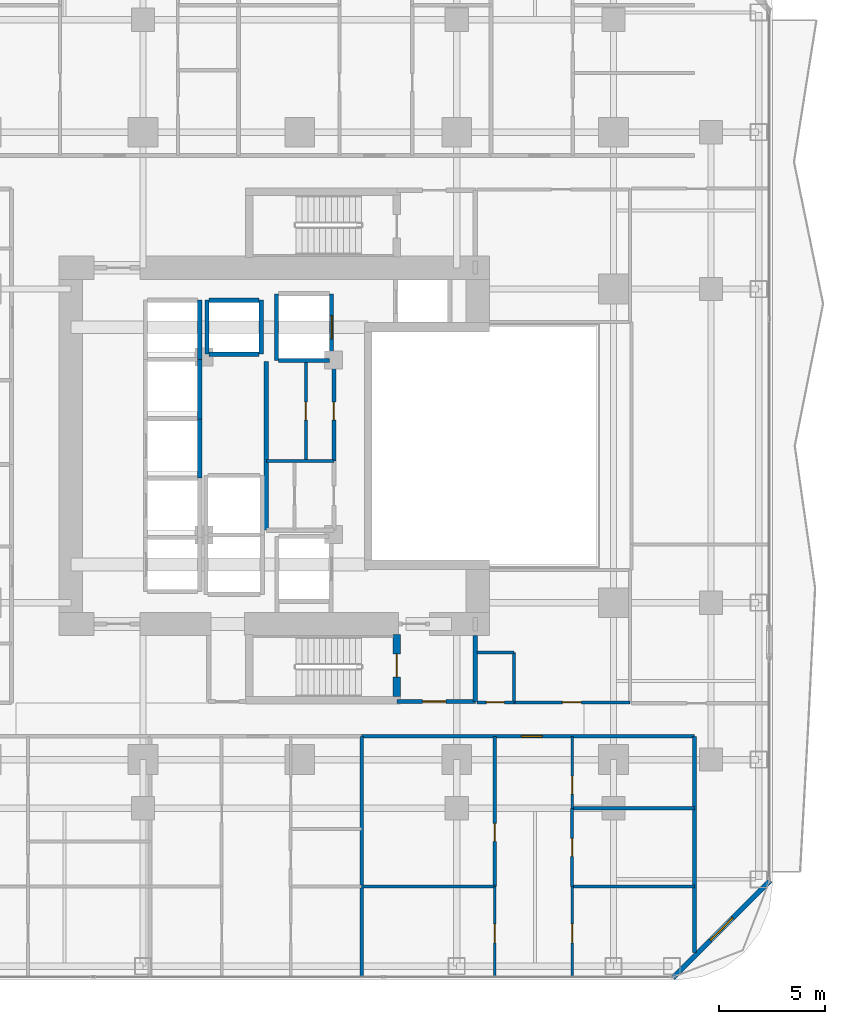
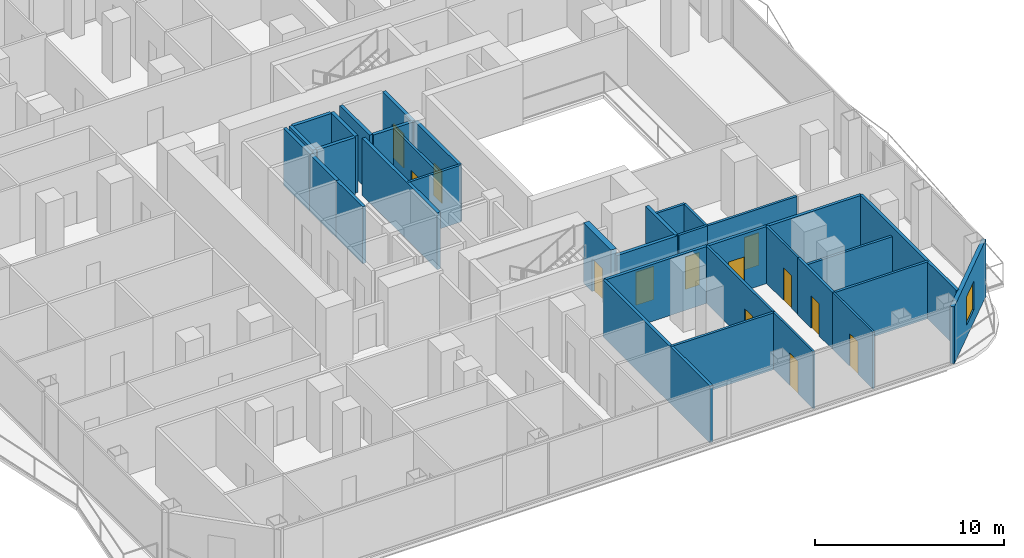
# One storey, part 21 of 29: 33 walls, 13 doors, 1 window, 14 openings.
"""IFC4 building model written with IfcOpenShell, lengths in metres."""

from ifc_helpers import new_model, si_unit, direction, frame, frame_2d, origin, place, context, subcontext, project, spatial, rectangle, extrude, material, layer, layer_set, type_object, element, fill, save


model = new_model("IFC4")

# Units and contexts
model_context = context("Model", 3, precision=1e-05, world=origin(), true_north=direction((0.0, 1.0)))
body_context = subcontext(model_context, "Body", "Model", "MODEL_VIEW")
ifc_project = project(units=[si_unit("LENGTHUNIT", "METRE"), si_unit("AREAUNIT", "SQUARE_METRE"), si_unit("VOLUMEUNIT", "CUBIC_METRE"), si_unit("PLANEANGLEUNIT", "RADIAN"), si_unit("MASSUNIT", "GRAM", prefix="KILO")], contexts=[model_context])

# Site, building, storey
site_placement = place(None, origin())
site = spatial("IfcSite", under=ifc_project, at=site_placement, CompositionType="ELEMENT")
building_placement = place(site_placement, origin())
building = spatial("IfcBuilding", under=site, at=building_placement, Name="Khorvyn Point Tower", CompositionType="ELEMENT")
storey_placement = place(building_placement, frame((0.0, 0.0, 69.60009765625)))
storey = spatial("IfcBuildingStorey", under=building, at=storey_placement, Name="L18", CompositionType="ELEMENT", Elevation=69.60009765625)

# Wall, opening, door
ifc_material_1 = material(Name="Double acoustic gypsum on twin steel stud", Category="steel")
ifc_layer_1 = layer(ifc_material_1, 0.179931640625)
ifc_layer_set_1 = layer_set([ifc_layer_1], Name="Acoustic Double-Stud Apartment Demising Wall 180")
wall_type_1 = type_object("IfcWallType", Name="Acoustic Double-Stud Apartment Demising Wall 180", PredefinedType="PARTITIONING", material=ifc_layer_set_1)
wall_1_placement = place(storey_placement, frame((2.91796875, -13.699951171875, 0.0), z_axis=(0.0, 0.0, 1.0), x_axis=(1.0, 0.0, 0.0)))
wall_1 = element("IfcWall", 1, at=wall_1_placement, inside=storey, type_object=wall_type_1, Name="Wall", PredefinedType="PARTITIONING", context=body_context, shape_type="SweptSolid", body=[
    extrude(rectangle(XDim=15.7021484375, YDim=0.179931640625, at=frame_2d((7.85107421875, 0.0))), origin(), (0.0, 0.0, 1.0), 3.679931640625),
])
opening_1_placement = place(wall_1_placement, frame((7.53076171875, 0.0, 0.0)))
opening_1 = element("IfcOpeningElement", 2, at=opening_1_placement, cuts=wall_1, Name="Opening ID-AP60", PredefinedType="OPENING", context=body_context, shape_type="SweptSolid", body=[
    extrude(rectangle(XDim=1.0, YDim=2.199951171875, at=frame_2d((0.5, 1.10009765625))), frame((0.0, 0.099853515625, 0.0), z_axis=(0.0, -1.0, 0.0), x_axis=(1.0, 0.0, 0.0)), (0.0, 0.0, 1.0), 0.199951171875),
])
ifc_material_2 = material(Name="Engineered hardwood fire-rated leaf", Category="wood")
door_type_1 = type_object("IfcDoorType", Name="Acoustic Solid-Core Timber Apartment Entrance Door 1000x2200", OperationType="NOTDEFINED", PredefinedType="DOOR", material=ifc_material_2)
door_1_placement = place(opening_1_placement, origin())
door_1 = element("IfcDoor", 3, at=door_1_placement, inside=storey, type_object=door_type_1, Name="Door", OperationType="SINGLE_SWING_RIGHT", OverallHeight=2.199951171875, OverallWidth=1.0, PredefinedType="DOOR", context=body_context, shape_type="SweptSolid", body=[
    extrude(rectangle(XDim=1.0, YDim=2.199951171875, at=frame_2d((0.5, 1.10009765625))), frame((0.0, 0.02490234375, 0.0), z_axis=(0.0, -1.0, 0.0), x_axis=(1.0, 0.0, 0.0)), (0.0, 0.0, 1.0), 0.050048828125),
])
fill(opening_1, door_1)

# Walls
wall_2_placement = place(storey_placement, frame((18.6201171875, -23.909912109375, 0.0), z_axis=(0.0, 0.0, 1.0), x_axis=(0.0, 1.0, 0.0)))
element("IfcWall", 4, at=wall_2_placement, inside=storey, type_object=wall_type_1, Name="Wall", PredefinedType="PARTITIONING", context=body_context, shape_type="SweptSolid", body=[
    extrude(rectangle(XDim=10.2099609375, YDim=0.179931640625, at=frame_2d((5.10498046875, 0.0))), origin(), (0.0, 0.0, 1.0), 3.679931640625),
])
wall_3_placement = place(storey_placement, frame((2.91796875, -25.030029296875, 0.0), z_axis=(0.0, 0.0, 1.0), x_axis=(0.0, 1.0, 0.0)))
element("IfcWall", 5, at=wall_3_placement, inside=storey, type_object=wall_type_1, Name="Wall", PredefinedType="PARTITIONING", context=body_context, shape_type="SweptSolid", body=[
    extrude(rectangle(XDim=11.330078125, YDim=0.179931640625, at=frame_2d((5.6650390625, 0.0))), origin(), (0.0, 0.0, 1.0), 3.679931640625),
])

# Wall, opening, window
ifc_material_3 = material(Name="Pale anodised aluminium rainscreen on steel stud", Category="steel")
ifc_layer_2 = layer(ifc_material_3, 0.239990234375)
ifc_layer_set_2 = layer_set([ifc_layer_2], Name="Anodised Aluminium Insulated Corner Spandrel Wall 240")
wall_type_2 = type_object("IfcWallType", Name="Anodised Aluminium Insulated Corner Spandrel Wall 240", PredefinedType="SOLIDWALL", material=ifc_layer_set_2)
wall_4_placement = place(storey_placement, frame((22.1923828125, -20.507568359375, 0.0), z_axis=(0.0, 0.0, 1.0), x_axis=(-0.707106781187, -0.707106781187, 0.0)))
wall_4 = element("IfcWall", 6, at=wall_4_placement, inside=storey, type_object=wall_type_2, Name="L18 Rounded Corner Wall SE", PredefinedType="SOLIDWALL", context=body_context, shape_type="SweptSolid", body=[
    extrude(rectangle(XDim=6.48388671875, YDim=0.239990234375, at=frame_2d((3.241943359375, 0.0))), origin(), (0.0, 0.0, 1.0), 3.679931640625),
])
opening_2_placement = place(wall_4_placement, frame((2.491943359375, 0.0, 0.800048828125)))
opening_2 = element("IfcOpeningElement", 7, at=opening_2_placement, cuts=wall_4, Name="Opening WN-1518", PredefinedType="OPENING", context=body_context, shape_type="SweptSolid", body=[
    extrude(rectangle(XDim=1.5, YDim=1.85009765625, at=frame_2d((0.75, 0.925048828125))), frame((0.0, 0.1298828125, 0.0), z_axis=(0.0, -1.0, 0.0), x_axis=(1.0, 0.0, 0.0)), (0.0, 0.0, 1.0), 0.260009765625),
])
ifc_material_4 = material(Name="Anodised aluminium 6063-T6 and laminated Low-E glass", Category="aluminium")
window_type = type_object("IfcWindowType", Name="Anodised Aluminium Rounded-Corner Panoramic Window 1500x1850", PartitioningType="SINGLE_PANEL", PredefinedType="WINDOW", material=ifc_material_4)
window_placement = place(opening_2_placement, origin())
window = element("IfcWindow", 8, at=window_placement, inside=storey, type_object=window_type, Name="L18 Corner Panoramic Window SE", OverallHeight=1.85009765625, OverallWidth=1.5, PartitioningType="SINGLE_PANEL", PredefinedType="WINDOW", context=body_context, shape_type="SweptSolid", body=[
    extrude(rectangle(XDim=1.5, YDim=1.85009765625, at=frame_2d((0.75, 0.925048828125))), frame((0.0, 0.030029296875, 0.0), z_axis=(0.0, -1.0, 0.0), x_axis=(1.0, 0.0, 0.0)), (0.0, 0.0, 1.0), 0.06005859375),
])
fill(opening_2, window)

# Wall, opening, door
ifc_material_5 = material(Name="Concrete C40/50", Category="concrete")
ifc_layer_3 = layer(ifc_material_5, 0.199951171875)
ifc_layer_set_3 = layer_set([ifc_layer_3], Name="Concrete C40/50 Fire-Lobby Compartment Wall 200")
wall_type_3 = type_object("IfcWallType", Name="Concrete C40/50 Fire-Lobby Compartment Wall 200", PredefinedType="SOLIDWALL", material=ifc_layer_set_3)
wall_5_placement = place(storey_placement, frame((4.580078125, -12.06005859375, 0.0), z_axis=(0.0, 0.0, 1.0), x_axis=(1.0, 0.0, 0.0)))
wall_5 = element("IfcWall", 9, at=wall_5_placement, inside=storey, type_object=wall_type_3, Name="Wall", PredefinedType="SOLIDWALL", context=body_context, shape_type="SweptSolid", body=[
    extrude(rectangle(XDim=3.699951171875, YDim=0.199951171875, at=frame_2d((1.85009765625, 0.0))), origin(), (0.0, 0.0, 1.0), 3.679931640625),
])
opening_3_placement = place(wall_5_placement, frame((1.21240234375, 0.0, 0.0)))
opening_3 = element("IfcOpeningElement", 10, at=opening_3_placement, cuts=wall_5, Name="Opening ID-FL90", PredefinedType="OPENING", context=body_context, shape_type="SweptSolid", body=[
    extrude(rectangle(XDim=1.10009765625, YDim=2.14990234375, at=frame_2d((0.550048828125, 1.074951171875))), frame((0.0, 0.10986328125, 0.0), z_axis=(0.0, -1.0, 0.0), x_axis=(1.0, 0.0, 0.0)), (0.0, 0.0, 1.0), 0.219970703125),
])
ifc_material_6 = material(Name="Galvanised powder-coated steel", Category="steel")
door_type_2 = type_object("IfcDoorType", Name="Fire-Rated Steel Lobby and Stair Door 1100x2150", OperationType="NOTDEFINED", PredefinedType="DOOR", material=ifc_material_6)
door_2_placement = place(opening_3_placement, origin())
door_2 = element("IfcDoor", 11, at=door_2_placement, inside=storey, type_object=door_type_2, Name="Door", OperationType="SINGLE_SWING_LEFT", OverallHeight=2.14990234375, OverallWidth=1.10009765625, PredefinedType="DOOR", context=body_context, shape_type="SweptSolid", body=[
    extrude(rectangle(XDim=1.10009765625, YDim=2.14990234375, at=frame_2d((0.550048828125, 1.074951171875))), frame((0.0, 0.02490234375, 0.0), z_axis=(0.0, -1.0, 0.0), x_axis=(1.0, 0.0, 0.0)), (0.0, 0.0, 1.0), 0.050048828125),
])
fill(opening_3, door_2)

wall_6_placement = place(storey_placement, frame((1.610107421875, -0.7060546875, 0.0), z_axis=(0.0, 0.0, 1.0), x_axis=(0.0, 1.0, 0.0)))
wall_6 = element("IfcWall", 12, at=wall_6_placement, inside=storey, type_object=wall_type_3, Name="Wall", PredefinedType="SOLIDWALL", context=body_context, shape_type="SweptSolid", body=[
    extrude(rectangle(XDim=4.68603515625, YDim=0.199951171875, at=frame_2d((2.343017578125, 0.0))), origin(), (0.0, 0.0, 1.0), 3.679931640625),
])
opening_4_placement = place(wall_6_placement, frame((1.91796875, 0.0, 0.0)))
opening_4 = element("IfcOpeningElement", 13, at=opening_4_placement, cuts=wall_6, Name="Opening ID-WC85", PredefinedType="OPENING", context=body_context, shape_type="SweptSolid", body=[
    extrude(rectangle(XDim=0.85009765625, YDim=2.10009765625, at=frame_2d((0.425048828125, 1.050048828125))), frame((0.0, 0.10986328125, 0.0), z_axis=(0.0, -1.0, 0.0), x_axis=(1.0, 0.0, 0.0)), (0.0, 0.0, 1.0), 0.219970703125),
])
ifc_material_7 = material(Name="High-pressure laminate on moisture-resistant core", Category="wood")
door_type_3 = type_object("IfcDoorType", Name="Moisture-Resistant Accessible Washroom Door 850x2100", OperationType="NOTDEFINED", PredefinedType="DOOR", material=ifc_material_7)
door_3_placement = place(opening_4_placement, origin())
door_3 = element("IfcDoor", 14, at=door_3_placement, inside=storey, type_object=door_type_3, Name="Door", OperationType="SINGLE_SWING_RIGHT", OverallHeight=2.10009765625, OverallWidth=0.85009765625, PredefinedType="DOOR", context=body_context, shape_type="SweptSolid", body=[
    extrude(rectangle(XDim=0.85009765625, YDim=2.10009765625, at=frame_2d((0.425048828125, 1.050048828125))), frame((0.0, 0.02490234375, 0.0), z_axis=(0.0, -1.0, 0.0), x_axis=(1.0, 0.0, 0.0)), (0.0, 0.0, 1.0), 0.050048828125),
])
fill(opening_4, door_3)

# Walls
wall_7_placement = place(storey_placement, frame((8.280029296875, -12.06005859375, 0.0), z_axis=(0.0, 0.0, 1.0), x_axis=(0.0, 1.0, 0.0)))
element("IfcWall", 15, at=wall_7_placement, inside=storey, type_object=wall_type_3, Name="Wall", PredefinedType="SOLIDWALL", context=body_context, shape_type="SweptSolid", body=[
    extrude(rectangle(XDim=3.110107421875, YDim=0.199951171875, at=frame_2d((1.55517578125, 0.0))), origin(), (0.0, 0.0, 1.0), 3.679931640625),
])
wall_8_placement = place(storey_placement, frame((-1.580078125, -3.97998046875, 0.0), z_axis=(0.0, 0.0, 1.0), x_axis=(0.0, 1.0, 0.0)))
element("IfcWall", 16, at=wall_8_placement, inside=storey, type_object=wall_type_3, Name="Wall", PredefinedType="SOLIDWALL", context=body_context, shape_type="SweptSolid", body=[
    extrude(rectangle(XDim=7.9599609375, YDim=0.199951171875, at=frame_2d((3.97998046875, 0.0))), origin(), (0.0, 0.0, 1.0), 3.679931640625),
])

# Wall, opening, door
ifc_layer_4 = layer(ifc_material_5, 0.35009765625)
ifc_layer_set_4 = layer_set([ifc_layer_4], Name="Concrete C40/50 Stair Shaft Structural Wall 350")
wall_type_4 = type_object("IfcWallType", Name="Concrete C40/50 Stair Shaft Structural Wall 350", PredefinedType="SHEAR", material=ifc_layer_set_4)
wall_9_placement = place(storey_placement, frame((4.580078125, -8.89990234375, 0.0), z_axis=(0.0, 0.0, 1.0), x_axis=(0.0, -1.0, 0.0)))
wall_9 = element("IfcWall", 17, at=wall_9_placement, inside=storey, type_object=wall_type_4, Name="L18 ST-01 East Landing Door Wall", PredefinedType="SHEAR", context=body_context, shape_type="SweptSolid", body=[
    extrude(rectangle(XDim=2.925048828125, YDim=0.35009765625, at=frame_2d((1.46240234375, 0.0))), origin(), (0.0, 0.0, 1.0), 3.89990234375),
])
opening_5_placement = place(wall_9_placement, frame((0.91259765625, 0.0, 0.0)))
opening_5 = element("IfcOpeningElement", 18, at=opening_5_placement, cuts=wall_9, Name="Opening ID-FL90", PredefinedType="OPENING", context=body_context, shape_type="SweptSolid", body=[
    extrude(rectangle(XDim=1.10009765625, YDim=2.14990234375, at=frame_2d((0.550048828125, 1.074951171875))), frame((0.0, 0.18505859375, 0.0), z_axis=(0.0, -1.0, 0.0), x_axis=(1.0, 0.0, 0.0)), (0.0, 0.0, 1.0), 0.3701171875),
])
door_4_placement = place(opening_5_placement, origin())
door_4 = element("IfcDoor", 19, at=door_4_placement, inside=storey, type_object=door_type_2, Name="L18 ST-01 Smokeproof Landing Door", OperationType="SINGLE_SWING_RIGHT", OverallHeight=2.14990234375, OverallWidth=1.10009765625, PredefinedType="DOOR", context=body_context, shape_type="SweptSolid", body=[
    extrude(rectangle(XDim=1.10009765625, YDim=2.14990234375, at=frame_2d((0.550048828125, 1.074951171875))), frame((0.0, 0.02490234375, 0.0), z_axis=(0.0, -1.0, 0.0), x_axis=(1.0, 0.0, 0.0)), (0.0, 0.0, 1.0), 0.050048828125),
])
fill(opening_5, door_4)

# Walls
ifc_layer_5 = layer(ifc_material_5, 0.199951171875)
ifc_layer_set_5 = layer_set([ifc_layer_5], Name="Concrete C40/50 Structural Hoistway and Stair Shaft Wall 200")
wall_type_5 = type_object("IfcWallType", Name="Concrete C40/50 Structural Hoistway and Stair Shaft Wall 200", PredefinedType="SHEAR", material=ifc_layer_set_5)
wall_10_placement = place(storey_placement, frame((-4.72509765625, -1.52490234375, 0.0), z_axis=(0.0, 0.0, 1.0), x_axis=(0.0, 1.0, 0.0)))
element("IfcWall", 20, at=wall_10_placement, inside=storey, type_object=wall_type_5, Name="Wall", PredefinedType="SHEAR", context=body_context, shape_type="SweptSolid", body=[
    extrude(rectangle(XDim=2.7998046875, YDim=0.199951171875, at=frame_2d((1.39990234375, 0.0))), origin(), (0.0, 0.0, 1.0), 3.679931640625),
])
for number, where, z_axis, x_axis, name in (
    (21, (-4.72509765625, 1.27490234375, 0.0), (0.0, 0.0, 1.0), (0.0, 1.0, 0.0), "Wall"),
    (22, (-4.72509765625, 4.074951171875, 0.0), (0.0, 0.0, 1.0), (0.0, 1.0, 0.0), "Wall"),
):
    element("IfcWall", number, at=place(storey_placement, frame(where, z_axis=z_axis, x_axis=x_axis)), inside=storey, type_object=wall_type_5, Name=name, PredefinedType="SHEAR", context=body_context, shape_type="SweptSolid", body=[
        extrude(rectangle(XDim=2.800048828125, YDim=0.199951171875, at=frame_2d((1.39990234375, 0.0))), origin(), (0.0, 0.0, 1.0), 3.679931640625),
    ])
for number, where, z_axis, x_axis, name in (
    (23, (-4.375, 4.324951171875, 0.0), (0.0, 0.0, 1.0), (0.0, 1.0, 0.0), "Wall"),
    (24, (-1.824951171875, 4.324951171875, 0.0), (0.0, 0.0, 1.0), (0.0, 1.0, 0.0), "Wall"),
):
    element("IfcWall", number, at=place(storey_placement, frame(where, z_axis=z_axis, x_axis=x_axis)), inside=storey, type_object=wall_type_5, Name=name, PredefinedType="SHEAR", context=body_context, shape_type="SweptSolid", body=[
        extrude(rectangle(XDim=2.550048828125, YDim=0.199951171875, at=frame_2d((1.27490234375, 0.0))), origin(), (0.0, 0.0, 1.0), 3.679931640625),
    ])
for number, where, z_axis, x_axis, name in (
    (25, (-4.27490234375, 4.324951171875, 0.0), (0.0, 0.0, 1.0), (1.0, 0.0, 0.0), "Wall"),
    (26, (-4.27490234375, 6.875, 0.0), (0.0, 0.0, 1.0), (1.0, 0.0, 0.0), "Wall"),
):
    element("IfcWall", number, at=place(storey_placement, frame(where, z_axis=z_axis, x_axis=x_axis)), inside=storey, type_object=wall_type_5, Name=name, PredefinedType="SHEAR", context=body_context, shape_type="SweptSolid", body=[
        extrude(rectangle(XDim=2.349853515625, YDim=0.199951171875, at=frame_2d((1.1748046875, 0.0))), origin(), (0.0, 0.0, 1.0), 3.679931640625),
    ])
wall_11_placement = place(storey_placement, frame((-1.10009765625, 4.02490234375, 0.0), z_axis=(0.0, 0.0, 1.0), x_axis=(0.0, 1.0, 0.0)))
element("IfcWall", 27, at=wall_11_placement, inside=storey, type_object=wall_type_5, Name="Wall", PredefinedType="SHEAR", context=body_context, shape_type="SweptSolid", body=[
    extrude(rectangle(XDim=3.150146484375, YDim=0.199951171875, at=frame_2d((1.5751953125, 0.0))), origin(), (0.0, 0.0, 1.0), 3.679931640625),
])

# Wall, opening, door
wall_12_placement = place(storey_placement, frame((1.5, 4.02490234375, 0.0), z_axis=(0.0, 0.0, 1.0), x_axis=(0.0, 1.0, 0.0)))
wall_12 = element("IfcWall", 28, at=wall_12_placement, inside=storey, type_object=wall_type_5, Name="Wall", PredefinedType="SHEAR", context=body_context, shape_type="SweptSolid", body=[
    extrude(rectangle(XDim=3.150146484375, YDim=0.199951171875, at=frame_2d((1.5751953125, 0.0))), origin(), (0.0, 0.0, 1.0), 3.679931640625),
])
opening_6_placement = place(wall_12_placement, frame((1.02490234375, 0.0, 0.0)))
opening_6 = element("IfcOpeningElement", 29, at=opening_6_placement, cuts=wall_12, Name="Opening LD-1122", PredefinedType="OPENING", context=body_context, shape_type="SweptSolid", body=[
    extrude(rectangle(XDim=1.10009765625, YDim=2.199951171875, at=frame_2d((0.550048828125, 1.10009765625))), frame((0.0, 0.10986328125, 0.0), z_axis=(0.0, -1.0, 0.0), x_axis=(1.0, 0.0, 0.0)), (0.0, 0.0, 1.0), 0.219970703125),
])
ifc_material_8 = material(Name="Stainless steel 1.4301", Category="steel")
door_type_4 = type_object("IfcDoorType", Name="Stainless Steel Automatic Sliding Lift Landing Door 1100x2200", OperationType="SLIDING_TO_LEFT", PredefinedType="DOOR", material=ifc_material_8)
door_5_placement = place(opening_6_placement, origin())
door_5 = element("IfcDoor", 30, at=door_5_placement, inside=storey, type_object=door_type_4, Name="L18 SV-01 Sliding Lift Landing Door", OperationType="SLIDING_TO_LEFT", OverallHeight=2.199951171875, OverallWidth=1.10009765625, PredefinedType="DOOR", context=body_context, shape_type="SweptSolid", body=[
    extrude(rectangle(XDim=1.10009765625, YDim=2.199951171875, at=frame_2d((0.550048828125, 1.10009765625))), frame((0.0, 0.02490234375, 0.0), z_axis=(0.0, -1.0, 0.0), x_axis=(1.0, 0.0, 0.0)), (0.0, 0.0, 1.0), 0.050048828125),
])
fill(opening_6, door_5)

# Wall
wall_13_placement = place(storey_placement, frame((-1.0, 4.02490234375, 0.0), z_axis=(0.0, 0.0, 1.0), x_axis=(1.0, 0.0, 0.0)))
element("IfcWall", 31, at=wall_13_placement, inside=storey, type_object=wall_type_5, Name="Wall", PredefinedType="SHEAR", context=body_context, shape_type="SweptSolid", body=[
    extrude(rectangle(XDim=2.39990234375, YDim=0.199951171875, at=frame_2d((1.199951171875, 0.0))), origin(), (0.0, 0.0, 1.0), 3.679931640625),
])

# Wall, opening, door
ifc_material_9 = material(Name="Gypsum plasterboard on steel stud", Category="steel")
ifc_layer_6 = layer(ifc_material_9, 0.1201171875)
ifc_layer_set_6 = layer_set([ifc_layer_6], Name="Gypsum Acoustic Stud Room Partition Wall 120")
wall_type_6 = type_object("IfcWallType", Name="Gypsum Acoustic Stud Room Partition Wall 120", PredefinedType="PARTITIONING", material=ifc_layer_set_6)
wall_14_placement = place(storey_placement, frame((9.198974609375, -25.030029296875, 0.0), z_axis=(0.0, 0.0, 1.0), x_axis=(0.0, 1.0, 0.0)))
wall_14 = element("IfcWall", 32, at=wall_14_placement, inside=storey, type_object=wall_type_6, Name="Wall", PredefinedType="PARTITIONING", context=body_context, shape_type="SweptSolid", body=[
    extrude(rectangle(XDim=4.239990234375, YDim=0.1201171875, at=frame_2d((2.1201171875, 0.0))), origin(), (0.0, 0.0, 1.0), 3.679931640625),
])
opening_7_placement = place(wall_14_placement, frame((1.581298828125, 0.0, 0.0)))
opening_7 = element("IfcOpeningElement", 33, at=opening_7_placement, cuts=wall_14, Name="Opening ID-RM90", PredefinedType="OPENING", context=body_context, shape_type="SweptSolid", body=[
    extrude(rectangle(XDim=0.89990234375, YDim=2.10009765625, at=frame_2d((0.449951171875, 1.050048828125))), frame((0.0, 0.070068359375, 0.0), z_axis=(0.0, -1.0, 0.0), x_axis=(1.0, 0.0, 0.0)), (0.0, 0.0, 1.0), 0.14013671875),
])
ifc_material_10 = material(Name="Engineered oak veneer timber", Category="wood")
door_type_5 = type_object("IfcDoorType", Name="Flush Engineered Timber Room Door 900x2100", OperationType="NOTDEFINED", PredefinedType="DOOR", material=ifc_material_10)
door_6_placement = place(opening_7_placement, origin())
door_6 = element("IfcDoor", 34, at=door_6_placement, inside=storey, type_object=door_type_5, Name="Door", OperationType="SINGLE_SWING_RIGHT", OverallHeight=2.10009765625, OverallWidth=0.89990234375, PredefinedType="DOOR", context=body_context, shape_type="SweptSolid", body=[
    extrude(rectangle(XDim=0.89990234375, YDim=2.10009765625, at=frame_2d((0.449951171875, 1.050048828125))), frame((0.0, 0.02490234375, 0.0), z_axis=(0.0, -1.0, 0.0), x_axis=(1.0, 0.0, 0.0)), (0.0, 0.0, 1.0), 0.050048828125),
])
fill(opening_7, door_6)

wall_15_placement = place(storey_placement, frame((12.843994140625, -17.10009765625, 0.0), z_axis=(0.0, 0.0, 1.0), x_axis=(0.0, 1.0, 0.0)))
wall_15 = element("IfcWall", 35, at=wall_15_placement, inside=storey, type_object=wall_type_6, Name="Wall", PredefinedType="PARTITIONING", context=body_context, shape_type="SweptSolid", body=[
    extrude(rectangle(XDim=3.400146484375, YDim=0.1201171875, at=frame_2d((1.7001953125, 0.0))), origin(), (0.0, 0.0, 1.0), 3.679931640625),
])
opening_8_placement = place(wall_15_placement, frame((0.674560546875, 0.0, 0.0)))
opening_8 = element("IfcOpeningElement", 36, at=opening_8_placement, cuts=wall_15, Name="Opening ID-WC85", PredefinedType="OPENING", context=body_context, shape_type="SweptSolid", body=[
    extrude(rectangle(XDim=0.85009765625, YDim=2.10009765625, at=frame_2d((0.425048828125, 1.050048828125))), frame((0.0, 0.070068359375, 0.0), z_axis=(0.0, -1.0, 0.0), x_axis=(1.0, 0.0, 0.0)), (0.0, 0.0, 1.0), 0.14013671875),
])
door_7_placement = place(opening_8_placement, origin())
door_7 = element("IfcDoor", 37, at=door_7_placement, inside=storey, type_object=door_type_3, Name="Door", OperationType="SINGLE_SWING_RIGHT", OverallHeight=2.10009765625, OverallWidth=0.85009765625, PredefinedType="DOOR", context=body_context, shape_type="SweptSolid", body=[
    extrude(rectangle(XDim=0.85009765625, YDim=2.10009765625, at=frame_2d((0.425048828125, 1.050048828125))), frame((0.0, 0.02490234375, 0.0), z_axis=(0.0, -1.0, 0.0), x_axis=(1.0, 0.0, 0.0)), (0.0, 0.0, 1.0), 0.050048828125),
])
fill(opening_8, door_7)

wall_16_placement = place(storey_placement, frame((12.843994140625, -25.030029296875, 0.0), z_axis=(0.0, 0.0, 1.0), x_axis=(0.0, 1.0, 0.0)))
wall_16 = element("IfcWall", 38, at=wall_16_placement, inside=storey, type_object=wall_type_6, Name="Wall", PredefinedType="PARTITIONING", context=body_context, shape_type="SweptSolid", body=[
    extrude(rectangle(XDim=4.239990234375, YDim=0.1201171875, at=frame_2d((2.1201171875, 0.0))), origin(), (0.0, 0.0, 1.0), 3.679931640625),
])
opening_9_placement = place(wall_16_placement, frame((1.581298828125, 0.0, 0.0)))
opening_9 = element("IfcOpeningElement", 39, at=opening_9_placement, cuts=wall_16, Name="Opening ID-RM90", PredefinedType="OPENING", context=body_context, shape_type="SweptSolid", body=[
    extrude(rectangle(XDim=0.89990234375, YDim=2.10009765625, at=frame_2d((0.449951171875, 1.050048828125))), frame((0.0, 0.070068359375, 0.0), z_axis=(0.0, -1.0, 0.0), x_axis=(1.0, 0.0, 0.0)), (0.0, 0.0, 1.0), 0.14013671875),
])
door_8_placement = place(opening_9_placement, origin())
door_8 = element("IfcDoor", 40, at=door_8_placement, inside=storey, type_object=door_type_5, Name="Door", OperationType="SINGLE_SWING_LEFT", OverallHeight=2.10009765625, OverallWidth=0.89990234375, PredefinedType="DOOR", context=body_context, shape_type="SweptSolid", body=[
    extrude(rectangle(XDim=0.89990234375, YDim=2.10009765625, at=frame_2d((0.449951171875, 1.050048828125))), frame((0.0, 0.02490234375, 0.0), z_axis=(0.0, -1.0, 0.0), x_axis=(1.0, 0.0, 0.0)), (0.0, 0.0, 1.0), 0.050048828125),
])
fill(opening_9, door_8)

ifc_material_11 = material(Name="Moisture-resistant gypsum and cement board", Category="gypsum")
ifc_layer_7 = layer(ifc_material_11, 0.14990234375)
ifc_layer_set_7 = layer_set([ifc_layer_7], Name="Moisture-Resistant Wet-Room Partition Wall 150")
wall_type_7 = type_object("IfcWallType", Name="Moisture-Resistant Wet-Room Partition Wall 150", PredefinedType="PARTITIONING", material=ifc_layer_set_7)
wall_17_placement = place(storey_placement, frame((0.2900390625, -0.7060546875, 0.0), z_axis=(0.0, 0.0, 1.0), x_axis=(0.0, 1.0, 0.0)))
wall_17 = element("IfcWall", 41, at=wall_17_placement, inside=storey, type_object=wall_type_7, Name="Wall", PredefinedType="PARTITIONING", context=body_context, shape_type="SweptSolid", body=[
    extrude(rectangle(XDim=4.68603515625, YDim=0.14990234375, at=frame_2d((2.343017578125, 0.0))), origin(), (0.0, 0.0, 1.0), 3.679931640625),
])
opening_10_placement = place(wall_17_placement, frame((1.91796875, 0.0, 0.0)))
opening_10 = element("IfcOpeningElement", 42, at=opening_10_placement, cuts=wall_17, Name="Opening ID-WC85", PredefinedType="OPENING", context=body_context, shape_type="SweptSolid", body=[
    extrude(rectangle(XDim=0.85009765625, YDim=2.10009765625, at=frame_2d((0.425048828125, 1.050048828125))), frame((0.0, 0.0849609375, 0.0), z_axis=(0.0, -1.0, 0.0), x_axis=(1.0, 0.0, 0.0)), (0.0, 0.0, 1.0), 0.169921875),
])
door_9_placement = place(opening_10_placement, origin())
door_9 = element("IfcDoor", 43, at=door_9_placement, inside=storey, type_object=door_type_3, Name="Door", OperationType="SINGLE_SWING_RIGHT", OverallHeight=2.10009765625, OverallWidth=0.85009765625, PredefinedType="DOOR", context=body_context, shape_type="SweptSolid", body=[
    extrude(rectangle(XDim=0.85009765625, YDim=2.10009765625, at=frame_2d((0.425048828125, 1.050048828125))), frame((0.0, 0.02490234375, 0.0), z_axis=(0.0, -1.0, 0.0), x_axis=(1.0, 0.0, 0.0)), (0.0, 0.0, 1.0), 0.050048828125),
])
fill(opening_10, door_9)

wall_18_placement = place(storey_placement, frame((8.360107421875, -12.10009765625, 0.0), z_axis=(0.0, 0.0, 1.0), x_axis=(1.0, 0.0, 0.0)))
wall_18 = element("IfcWall", 44, at=wall_18_placement, inside=storey, type_object=wall_type_7, Name="Wall", PredefinedType="PARTITIONING", context=body_context, shape_type="SweptSolid", body=[
    extrude(rectangle(XDim=1.739990234375, YDim=0.14990234375, at=frame_2d((0.8701171875, 0.0))), origin(), (0.0, 0.0, 1.0), 3.679931640625),
])
opening_11_placement = place(wall_18_placement, frame((0.445068359375, 0.0, 0.0)))
opening_11 = element("IfcOpeningElement", 45, at=opening_11_placement, cuts=wall_18, Name="Opening ID-WC85", PredefinedType="OPENING", context=body_context, shape_type="SweptSolid", body=[
    extrude(rectangle(XDim=0.85009765625, YDim=2.10009765625, at=frame_2d((0.425048828125, 1.050048828125))), frame((0.0, 0.0849609375, 0.0), z_axis=(0.0, -1.0, 0.0), x_axis=(1.0, 0.0, 0.0)), (0.0, 0.0, 1.0), 0.169921875),
])
door_10_placement = place(opening_11_placement, origin())
door_10 = element("IfcDoor", 46, at=door_10_placement, inside=storey, type_object=door_type_3, Name="Door", OperationType="SINGLE_SWING_LEFT", OverallHeight=2.10009765625, OverallWidth=0.85009765625, PredefinedType="DOOR", context=body_context, shape_type="SweptSolid", body=[
    extrude(rectangle(XDim=0.85009765625, YDim=2.10009765625, at=frame_2d((0.425048828125, 1.050048828125))), frame((0.0, 0.02490234375, 0.0), z_axis=(0.0, -1.0, 0.0), x_axis=(1.0, 0.0, 0.0)), (0.0, 0.0, 1.0), 0.050048828125),
])
fill(opening_11, door_10)

wall_19_placement = place(storey_placement, frame((10.10009765625, -12.10009765625, 0.0), z_axis=(0.0, 0.0, 1.0), x_axis=(1.0, 0.0, 0.0)))
wall_19 = element("IfcWall", 47, at=wall_19_placement, inside=storey, type_object=wall_type_7, Name="Wall", PredefinedType="PARTITIONING", context=body_context, shape_type="SweptSolid", body=[
    extrude(rectangle(XDim=5.47998046875, YDim=0.14990234375, at=frame_2d((2.739990234375, 0.0))), origin(), (0.0, 0.0, 1.0), 3.679931640625),
])
opening_12_placement = place(wall_19_placement, frame((2.2900390625, 0.0, 0.0)))
opening_12 = element("IfcOpeningElement", 48, at=opening_12_placement, cuts=wall_19, Name="Opening ID-RM90", PredefinedType="OPENING", context=body_context, shape_type="SweptSolid", body=[
    extrude(rectangle(XDim=0.89990234375, YDim=2.10009765625, at=frame_2d((0.449951171875, 1.050048828125))), frame((0.0, 0.0849609375, 0.0), z_axis=(0.0, -1.0, 0.0), x_axis=(1.0, 0.0, 0.0)), (0.0, 0.0, 1.0), 0.169921875),
])
door_11_placement = place(opening_12_placement, origin())
door_11 = element("IfcDoor", 49, at=door_11_placement, inside=storey, type_object=door_type_5, Name="Door", OperationType="SINGLE_SWING_RIGHT", OverallHeight=2.10009765625, OverallWidth=0.89990234375, PredefinedType="DOOR", context=body_context, shape_type="SweptSolid", body=[
    extrude(rectangle(XDim=0.89990234375, YDim=2.10009765625, at=frame_2d((0.449951171875, 1.050048828125))), frame((0.0, 0.02490234375, 0.0), z_axis=(0.0, -1.0, 0.0), x_axis=(1.0, 0.0, 0.0)), (0.0, 0.0, 1.0), 0.050048828125),
])
fill(opening_12, door_11)

wall_20_placement = place(storey_placement, frame((9.198974609375, -20.7900390625, 0.0), z_axis=(0.0, 0.0, 1.0), x_axis=(0.0, 1.0, 0.0)))
wall_20 = element("IfcWall", 50, at=wall_20_placement, inside=storey, type_object=wall_type_7, Name="Wall", PredefinedType="PARTITIONING", context=body_context, shape_type="SweptSolid", body=[
    extrude(rectangle(XDim=7.090087890625, YDim=0.14990234375, at=frame_2d((3.544921875, 0.0))), origin(), (0.0, 0.0, 1.0), 3.679931640625),
])
opening_13_placement = place(wall_20_placement, frame((2.13330078125, 0.0, 0.0)))
opening_13 = element("IfcOpeningElement", 51, at=opening_13_placement, cuts=wall_20, Name="Opening ID-WC85", PredefinedType="OPENING", context=body_context, shape_type="SweptSolid", body=[
    extrude(rectangle(XDim=0.85009765625, YDim=2.10009765625, at=frame_2d((0.425048828125, 1.050048828125))), frame((0.0, 0.0849609375, 0.0), z_axis=(0.0, -1.0, 0.0), x_axis=(1.0, 0.0, 0.0)), (0.0, 0.0, 1.0), 0.169921875),
])
door_12_placement = place(opening_13_placement, origin())
door_12 = element("IfcDoor", 52, at=door_12_placement, inside=storey, type_object=door_type_3, Name="Door", OperationType="SINGLE_SWING_LEFT", OverallHeight=2.10009765625, OverallWidth=0.85009765625, PredefinedType="DOOR", context=body_context, shape_type="SweptSolid", body=[
    extrude(rectangle(XDim=0.85009765625, YDim=2.10009765625, at=frame_2d((0.425048828125, 1.050048828125))), frame((0.0, 0.02490234375, 0.0), z_axis=(0.0, -1.0, 0.0), x_axis=(1.0, 0.0, 0.0)), (0.0, 0.0, 1.0), 0.050048828125),
])
fill(opening_13, door_12)

wall_21_placement = place(storey_placement, frame((12.843994140625, -20.7900390625, 0.0), z_axis=(0.0, 0.0, 1.0), x_axis=(0.0, 1.0, 0.0)))
wall_21 = element("IfcWall", 53, at=wall_21_placement, inside=storey, type_object=wall_type_7, Name="Wall", PredefinedType="PARTITIONING", context=body_context, shape_type="SweptSolid", body=[
    extrude(rectangle(XDim=3.68994140625, YDim=0.14990234375, at=frame_2d((1.844970703125, 0.0))), origin(), (0.0, 0.0, 1.0), 3.679931640625),
])
opening_14_placement = place(wall_21_placement, frame((1.419921875, 0.0, 0.0)))
opening_14 = element("IfcOpeningElement", 54, at=opening_14_placement, cuts=wall_21, Name="Opening ID-WC85", PredefinedType="OPENING", context=body_context, shape_type="SweptSolid", body=[
    extrude(rectangle(XDim=0.85009765625, YDim=2.10009765625, at=frame_2d((0.425048828125, 1.050048828125))), frame((0.0, 0.0849609375, 0.0), z_axis=(0.0, -1.0, 0.0), x_axis=(1.0, 0.0, 0.0)), (0.0, 0.0, 1.0), 0.169921875),
])
door_13_placement = place(opening_14_placement, origin())
door_13 = element("IfcDoor", 55, at=door_13_placement, inside=storey, type_object=door_type_3, Name="Door", OperationType="SINGLE_SWING_LEFT", OverallHeight=2.10009765625, OverallWidth=0.85009765625, PredefinedType="DOOR", context=body_context, shape_type="SweptSolid", body=[
    extrude(rectangle(XDim=0.85009765625, YDim=2.10009765625, at=frame_2d((0.425048828125, 1.050048828125))), frame((0.0, 0.02490234375, 0.0), z_axis=(0.0, -1.0, 0.0), x_axis=(1.0, 0.0, 0.0)), (0.0, 0.0, 1.0), 0.050048828125),
])
fill(opening_14, door_13)

# Walls
wall_22_placement = place(storey_placement, frame((-1.580078125, -0.7060546875, 0.0), z_axis=(0.0, 0.0, 1.0), x_axis=(1.0, 0.0, 0.0)))
element("IfcWall", 56, at=wall_22_placement, inside=storey, type_object=wall_type_7, Name="Wall", PredefinedType="PARTITIONING", context=body_context, shape_type="SweptSolid", body=[
    extrude(rectangle(XDim=3.190185546875, YDim=0.14990234375, at=frame_2d((1.59521484375, 0.0))), origin(), (0.0, 0.0, 1.0), 3.679931640625),
])
wall_23_placement = place(storey_placement, frame((8.360107421875, -9.75, 0.0), z_axis=(0.0, 0.0, 1.0), x_axis=(1.0, 0.0, 0.0)))
element("IfcWall", 57, at=wall_23_placement, inside=storey, type_object=wall_type_7, Name="Wall", PredefinedType="PARTITIONING", context=body_context, shape_type="SweptSolid", body=[
    extrude(rectangle(XDim=1.739990234375, YDim=0.14990234375, at=frame_2d((0.8701171875, 0.0))), origin(), (0.0, 0.0, 1.0), 3.679931640625),
])
wall_24_placement = place(storey_placement, frame((10.10009765625, -12.10009765625, 0.0), z_axis=(0.0, 0.0, 1.0), x_axis=(0.0, 1.0, 0.0)))
element("IfcWall", 58, at=wall_24_placement, inside=storey, type_object=wall_type_7, Name="Wall", PredefinedType="PARTITIONING", context=body_context, shape_type="SweptSolid", body=[
    extrude(rectangle(XDim=2.35009765625, YDim=0.14990234375, at=frame_2d((1.175048828125, 0.0))), origin(), (0.0, 0.0, 1.0), 3.679931640625),
])
wall_25_placement = place(storey_placement, frame((2.91796875, -20.7900390625, 0.0), z_axis=(0.0, 0.0, 1.0), x_axis=(1.0, 0.0, 0.0)))
element("IfcWall", 59, at=wall_25_placement, inside=storey, type_object=wall_type_7, Name="Wall", PredefinedType="PARTITIONING", context=body_context, shape_type="SweptSolid", body=[
    extrude(rectangle(XDim=6.281005859375, YDim=0.14990234375, at=frame_2d((3.140625, 0.0))), origin(), (0.0, 0.0, 1.0), 3.679931640625),
])
wall_26_placement = place(storey_placement, frame((12.843994140625, -17.10009765625, 0.0), z_axis=(0.0, 0.0, 1.0), x_axis=(1.0, 0.0, 0.0)))
element("IfcWall", 60, at=wall_26_placement, inside=storey, type_object=wall_type_7, Name="Wall", PredefinedType="PARTITIONING", context=body_context, shape_type="SweptSolid", body=[
    extrude(rectangle(XDim=5.776123046875, YDim=0.14990234375, at=frame_2d((2.88818359375, 0.0))), origin(), (0.0, 0.0, 1.0), 3.081787109375),
])
wall_27_placement = place(storey_placement, frame((12.843994140625, -20.7900390625, 0.0), z_axis=(0.0, 0.0, 1.0), x_axis=(1.0, 0.0, 0.0)))
element("IfcWall", 61, at=wall_27_placement, inside=storey, type_object=wall_type_7, Name="Wall", PredefinedType="PARTITIONING", context=body_context, shape_type="SweptSolid", body=[
    extrude(rectangle(XDim=5.776123046875, YDim=0.14990234375, at=frame_2d((2.88818359375, 0.0))), origin(), (0.0, 0.0, 1.0), 3.679931640625),
])

save(model, "model.ifc")
